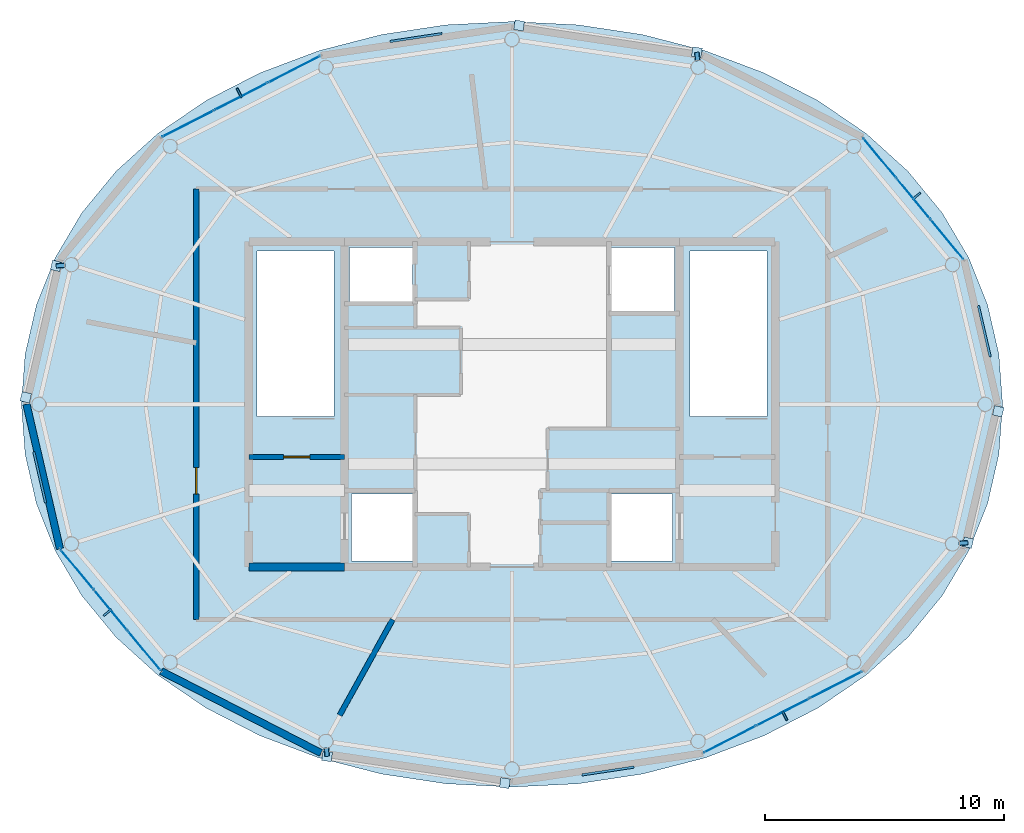
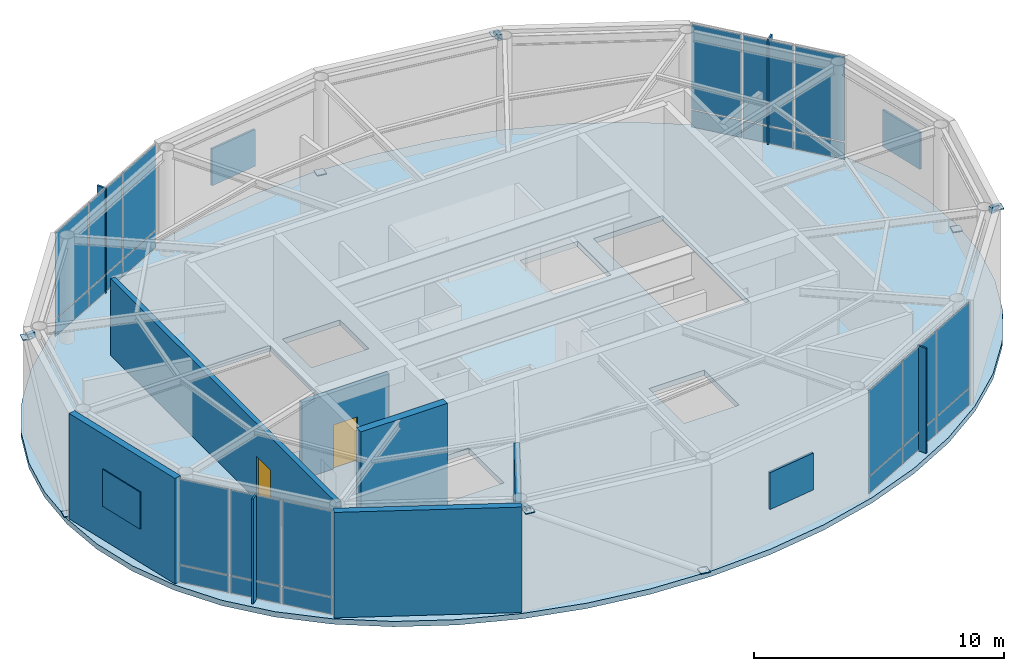
# One storey, part 11 of 14: 40 plates, 6 walls, 4 members, 2 doors, 1 slab, 2 openings, 4 elements without a shape of their own.
"""IFC4 building model written with IfcOpenShell, lengths in metres."""

from ifc_helpers import new_model, si_unit, direction, frame, frame_2d, origin, origin_2d, place, context, subcontext, project, spatial, polyline, rectangle, hollow_rectangle, outline, extrude, material, layer, layer_set, material_profile, profile_set, type_object, element, fill, aggregate, save


model = new_model("IFC4")

# Units and contexts
model_context = context("Model", 3, precision=1e-05, world=origin(), true_north=direction((0.0, 1.0)))
body_context = subcontext(model_context, "Body", "Model", "MODEL_VIEW")
ifc_project = project(units=[si_unit("LENGTHUNIT", "METRE"), si_unit("AREAUNIT", "SQUARE_METRE"), si_unit("VOLUMEUNIT", "CUBIC_METRE"), si_unit("PLANEANGLEUNIT", "RADIAN"), si_unit("MASSUNIT", "GRAM", prefix="KILO")], contexts=[model_context])

# Site, building, storey
site_placement = place(None, origin())
site = spatial("IfcSite", under=ifc_project, at=site_placement, CompositionType="ELEMENT")
building_placement = place(site_placement, origin())
building = spatial("IfcBuilding", under=site, at=building_placement, Name="Sarneth Arch Tower", CompositionType="ELEMENT")
storey_placement = place(building_placement, frame((0.0, 0.0, 321.60009765625)))
storey = spatial("IfcBuildingStorey", under=building, at=storey_placement, Name="L83", CompositionType="ELEMENT", Elevation=321.60009765625)

# Members
ifc_material_1 = material(Name="Steel S355", Category="steel")
ifc_material_profile = material_profile(ifc_material_1, hollow_rectangle(XDim=0.199951171875, YDim=0.300048828125, WallThickness=0.012451171875, InnerFilletRadius=0.018798828125, OuterFilletRadius=0.03125, at=origin_2d()), Name="RHS300x200x12.5")
ifc_profile_set = profile_set([ifc_material_profile], Name="Steel S355")
member_type = type_object("IfcMemberType", Name="MEM-CANT-STRUT", PredefinedType="STRUT", material=ifc_profile_set)
member_1_placement = place(storey_placement, frame((55.758544921875, 56.362548828125, 4.862060546875), z_axis=(-0.088114804222, 0.996110325856, 0.0), x_axis=(-0.996110325856, -0.088114804222, 0.0)))
element("IfcMember", 1, at=member_1_placement, inside=storey, type_object=member_type, Name="L83 Exoskeleton brace node strut 04B", PredefinedType="STRUT", context=body_context, shape_type="SweptSolid", body=[
    extrude(hollow_rectangle(XDim=0.199951171875, YDim=0.300048828125, WallThickness=0.012451171875, InnerFilletRadius=0.018798828125, OuterFilletRadius=0.03125, at=origin_2d()), origin(), (0.0, 0.0, 1.0), 0.354736328125),
])
member_2_placement = place(storey_placement, frame((29.30908203125, 47.81396484375, 4.862060546875), z_axis=(-0.996781199626, -0.080170069675, 0.0), x_axis=(0.080170069675, -0.996781199626, 0.0)))
element("IfcMember", 2, at=member_2_placement, inside=storey, type_object=member_type, Name="L83 Exoskeleton brace node strut 08B", PredefinedType="STRUT", context=body_context, shape_type="SweptSolid", body=[
    extrude(hollow_rectangle(XDim=0.199951171875, YDim=0.300048828125, WallThickness=0.012451171875, InnerFilletRadius=0.018798828125, OuterFilletRadius=0.03125, at=origin_2d()), origin(), (0.0, 0.0, 1.0), 0.365478515625),
])
member_3_placement = place(storey_placement, frame((40.241455078125, 27.637451171875, 4.862060546875), z_axis=(0.088114804222, -0.996110325856, 0.0), x_axis=(0.996110325856, 0.088114804222, 0.0)))
element("IfcMember", 3, at=member_3_placement, inside=storey, type_object=member_type, Name="L83 Exoskeleton brace node strut 12B", PredefinedType="STRUT", context=body_context, shape_type="SweptSolid", body=[
    extrude(hollow_rectangle(XDim=0.199951171875, YDim=0.300048828125, WallThickness=0.012451171875, InnerFilletRadius=0.018798828125, OuterFilletRadius=0.03125, at=origin_2d()), origin(), (0.0, 0.0, 1.0), 0.354736328125),
])
member_4_placement = place(storey_placement, frame((66.69091796875, 36.18603515625, 4.862060546875), z_axis=(0.996781199626, 0.080170069675, 0.0), x_axis=(-0.080170069675, 0.996781199626, 0.0)))
element("IfcMember", 4, at=member_4_placement, inside=storey, type_object=member_type, Name="L83 Exoskeleton brace node strut 16B", PredefinedType="STRUT", context=body_context, shape_type="SweptSolid", body=[
    extrude(hollow_rectangle(XDim=0.199951171875, YDim=0.300048828125, WallThickness=0.012451171875, InnerFilletRadius=0.018798828125, OuterFilletRadius=0.03125, at=origin_2d()), origin(), (0.0, 0.0, 1.0), 0.365478515625),
])

# Curtain wall, plates
ifc_material_2 = material(Name="Anodised aluminium Type AA25 and solar-control low-e laminated IGU", Category="aluminium")
ifc_layer_1 = layer(ifc_material_2, 0.18994140625)
ifc_layer_set_1 = layer_set([ifc_layer_1], Name="Anodised aluminium Type AA25 and solar-control low-e laminated IGU")
curtain_wall_type = type_object("IfcCurtainWallType", Name="CW-CROWN-DRUM", PredefinedType="NOTDEFINED", material=ifc_layer_set_1)
curtain_wall_1_placement = place(storey_placement, origin())
curtain_wall_1 = element("IfcCurtainWall", 5, at=curtain_wall_1_placement, inside=storey, type_object=curtain_wall_type, Name="L83 Unitised curtain wall facet 02", PredefinedType="NOTDEFINED")
ifc_material_3 = material(Name="Solar-control low-e laminated IGU", Category="glass")
ifc_layer_2 = layer(ifc_material_3, 0.028076171875)
ifc_layer_set_2 = layer_set([ifc_layer_2], Name="Solar-control low-e laminated IGU")
plate_type_1 = type_object("IfcPlateType", Name="CW-PANEL", PredefinedType="CURTAIN_PANEL", material=ifc_layer_set_2)
plate_1_placement = place(storey_placement, frame((66.181640625, 48.903564453125, 0.059814453125), z_axis=(0.0, 0.0, 1.0), x_axis=(-0.637504910728, 0.770446291962, 0.0)))
plate_1 = element("IfcPlate", 6, at=plate_1_placement, type_object=plate_type_1, Name="Curtain wall glazed vision pane CW-L83-F02/P00-00", PredefinedType="CURTAIN_PANEL", context=body_context, shape_type="SweptSolid", body=[
    extrude(rectangle(XDim=2.125, YDim=0.028076171875, at=origin_2d()), origin(), (0.0, 0.0, 1.0), 0.81005859375),
])
plate_2_placement = place(storey_placement, frame((66.181640625, 48.903564453125, 0.929931640625), z_axis=(0.0, 0.0, 1.0), x_axis=(-0.637504910728, 0.770446291962, 0.0)))
plate_2 = element("IfcPlate", 7, at=plate_2_placement, type_object=plate_type_1, Name="Curtain wall glazed vision pane CW-L83-F02/P00-01", PredefinedType="CURTAIN_PANEL", context=body_context, shape_type="SweptSolid", body=[
    extrude(rectangle(XDim=2.125, YDim=0.028076171875, at=origin_2d()), origin(), (0.0, 0.0, 1.0), 4.14990234375),
])
plate_3_placement = place(storey_placement, frame((64.779052734375, 50.598388671875, 0.059814453125), z_axis=(0.0, 0.0, 1.0), x_axis=(-0.637504910728, 0.770446291962, 0.0)))
plate_3 = element("IfcPlate", 8, at=plate_3_placement, type_object=plate_type_1, Name="Curtain wall glazed vision pane CW-L83-F02/P01-00", PredefinedType="CURTAIN_PANEL", context=body_context, shape_type="SweptSolid", body=[
    extrude(rectangle(XDim=2.155029296875, YDim=0.028076171875, at=origin_2d()), origin(), (0.0, 0.0, 1.0), 0.81005859375),
])
plate_4_placement = place(storey_placement, frame((64.779052734375, 50.598388671875, 0.929931640625), z_axis=(0.0, 0.0, 1.0), x_axis=(-0.637504910728, 0.770446291962, 0.0)))
plate_4 = element("IfcPlate", 9, at=plate_4_placement, type_object=plate_type_1, Name="Curtain wall glazed vision pane CW-L83-F02/P01-01", PredefinedType="CURTAIN_PANEL", context=body_context, shape_type="SweptSolid", body=[
    extrude(rectangle(XDim=2.155029296875, YDim=0.028076171875, at=origin_2d()), origin(), (0.0, 0.0, 1.0), 4.14990234375),
])
plate_5_placement = place(storey_placement, frame((63.376708984375, 52.29345703125, 0.059814453125), z_axis=(0.0, 0.0, 1.0), x_axis=(-0.637504910728, 0.770446291962, 0.0)))
plate_5 = element("IfcPlate", 10, at=plate_5_placement, type_object=plate_type_1, Name="Curtain wall glazed vision pane CW-L83-F02/P02-00", PredefinedType="CURTAIN_PANEL", context=body_context, shape_type="SweptSolid", body=[
    extrude(rectangle(XDim=2.125, YDim=0.028076171875, at=origin_2d()), origin(), (0.0, 0.0, 1.0), 0.81005859375),
])
plate_6_placement = place(storey_placement, frame((63.376708984375, 52.29345703125, 0.929931640625), z_axis=(0.0, 0.0, 1.0), x_axis=(-0.637504910728, 0.770446291962, 0.0)))
plate_6 = element("IfcPlate", 11, at=plate_6_placement, type_object=plate_type_1, Name="Curtain wall glazed vision pane CW-L83-F02/P02-01", PredefinedType="CURTAIN_PANEL", context=body_context, shape_type="SweptSolid", body=[
    extrude(rectangle(XDim=2.125, YDim=0.028076171875, at=origin_2d()), origin(), (0.0, 0.0, 1.0), 4.14990234375),
])
aggregate(curtain_wall_1, [plate_1, plate_2, plate_3, plate_4, plate_5, plate_6])

curtain_wall_2_placement = place(storey_placement, origin())
curtain_wall_2 = element("IfcCurtainWall", 12, at=curtain_wall_2_placement, inside=storey, type_object=curtain_wall_type, Name="L83 Unitised curtain wall facet 06", PredefinedType="NOTDEFINED")
plate_7_placement = place(storey_placement, frame((38.888427734375, 56.001953125, 0.059814453125), z_axis=(0.0, 0.0, 1.0), x_axis=(-0.8899590948, -0.456040359598, 0.0)))
plate_7 = element("IfcPlate", 13, at=plate_7_placement, type_object=plate_type_1, Name="Curtain wall glazed vision pane CW-L83-F06/P00-00", PredefinedType="CURTAIN_PANEL", context=body_context, shape_type="SweptSolid", body=[
    extrude(rectangle(XDim=2.41015625, YDim=0.028076171875, at=origin_2d()), origin(), (0.0, 0.0, 1.0), 0.81005859375),
])
plate_8_placement = place(storey_placement, frame((38.888427734375, 56.001953125, 0.929931640625), z_axis=(0.0, 0.0, 1.0), x_axis=(-0.8899590948, -0.456040359598, 0.0)))
plate_8 = element("IfcPlate", 14, at=plate_8_placement, type_object=plate_type_1, Name="Curtain wall glazed vision pane CW-L83-F06/P00-01", PredefinedType="CURTAIN_PANEL", context=body_context, shape_type="SweptSolid", body=[
    extrude(rectangle(XDim=2.41015625, YDim=0.028076171875, at=origin_2d()), origin(), (0.0, 0.0, 1.0), 4.14990234375),
])
plate_9_placement = place(storey_placement, frame((36.6767578125, 54.868408203125, 0.059814453125), z_axis=(0.0, 0.0, 1.0), x_axis=(-0.8899590948, -0.456040359598, 0.0)))
plate_9 = element("IfcPlate", 15, at=plate_9_placement, type_object=plate_type_1, Name="Curtain wall glazed vision pane CW-L83-F06/P01-00", PredefinedType="CURTAIN_PANEL", context=body_context, shape_type="SweptSolid", body=[
    extrude(rectangle(XDim=2.440185546875, YDim=0.028076171875, at=origin_2d()), origin(), (0.0, 0.0, 1.0), 0.81005859375),
])
plate_10_placement = place(storey_placement, frame((36.6767578125, 54.868408203125, 0.929931640625), z_axis=(0.0, 0.0, 1.0), x_axis=(-0.8899590948, -0.456040359598, 0.0)))
plate_10 = element("IfcPlate", 16, at=plate_10_placement, type_object=plate_type_1, Name="Curtain wall glazed vision pane CW-L83-F06/P01-01", PredefinedType="CURTAIN_PANEL", context=body_context, shape_type="SweptSolid", body=[
    extrude(rectangle(XDim=2.440185546875, YDim=0.028076171875, at=origin_2d()), origin(), (0.0, 0.0, 1.0), 4.14990234375),
])
plate_11_placement = place(storey_placement, frame((34.46484375, 53.735107421875, 0.059814453125), z_axis=(0.0, 0.0, 1.0), x_axis=(-0.8899590948, -0.456040359598, 0.0)))
plate_11 = element("IfcPlate", 17, at=plate_11_placement, type_object=plate_type_1, Name="Curtain wall glazed vision pane CW-L83-F06/P02-00", PredefinedType="CURTAIN_PANEL", context=body_context, shape_type="SweptSolid", body=[
    extrude(rectangle(XDim=2.41015625, YDim=0.028076171875, at=origin_2d()), origin(), (0.0, 0.0, 1.0), 0.81005859375),
])
plate_12_placement = place(storey_placement, frame((34.46484375, 53.735107421875, 0.929931640625), z_axis=(0.0, 0.0, 1.0), x_axis=(-0.8899590948, -0.456040359598, 0.0)))
plate_12 = element("IfcPlate", 18, at=plate_12_placement, type_object=plate_type_1, Name="Curtain wall glazed vision pane CW-L83-F06/P02-01", PredefinedType="CURTAIN_PANEL", context=body_context, shape_type="SweptSolid", body=[
    extrude(rectangle(XDim=2.41015625, YDim=0.028076171875, at=origin_2d()), origin(), (0.0, 0.0, 1.0), 4.14990234375),
])
aggregate(curtain_wall_2, [plate_7, plate_8, plate_9, plate_10, plate_11, plate_12])

curtain_wall_3_placement = place(storey_placement, origin())
curtain_wall_3 = element("IfcCurtainWall", 19, at=curtain_wall_3_placement, inside=storey, type_object=curtain_wall_type, Name="L83 Unitised curtain wall facet 10", PredefinedType="NOTDEFINED")
plate_13_placement = place(storey_placement, frame((29.818359375, 35.096435546875, 0.059814453125), z_axis=(0.0, 0.0, 1.0), x_axis=(0.637504910728, -0.770446291962, 0.0)))
plate_13 = element("IfcPlate", 20, at=plate_13_placement, type_object=plate_type_1, Name="Curtain wall glazed vision pane CW-L83-F10/P00-00", PredefinedType="CURTAIN_PANEL", context=body_context, shape_type="SweptSolid", body=[
    extrude(rectangle(XDim=2.125, YDim=0.028076171875, at=origin_2d()), origin(), (0.0, 0.0, 1.0), 0.81005859375),
])
plate_14_placement = place(storey_placement, frame((29.818359375, 35.096435546875, 0.929931640625), z_axis=(0.0, 0.0, 1.0), x_axis=(0.637504910728, -0.770446291962, 0.0)))
plate_14 = element("IfcPlate", 21, at=plate_14_placement, type_object=plate_type_1, Name="Curtain wall glazed vision pane CW-L83-F10/P00-01", PredefinedType="CURTAIN_PANEL", context=body_context, shape_type="SweptSolid", body=[
    extrude(rectangle(XDim=2.125, YDim=0.028076171875, at=origin_2d()), origin(), (0.0, 0.0, 1.0), 4.14990234375),
])
plate_15_placement = place(storey_placement, frame((31.220947265625, 33.401611328125, 0.059814453125), z_axis=(0.0, 0.0, 1.0), x_axis=(0.637504910728, -0.770446291962, 0.0)))
plate_15 = element("IfcPlate", 22, at=plate_15_placement, type_object=plate_type_1, Name="Curtain wall glazed vision pane CW-L83-F10/P01-00", PredefinedType="CURTAIN_PANEL", context=body_context, shape_type="SweptSolid", body=[
    extrude(rectangle(XDim=2.155029296875, YDim=0.028076171875, at=origin_2d()), origin(), (0.0, 0.0, 1.0), 0.81005859375),
])
plate_16_placement = place(storey_placement, frame((31.220947265625, 33.401611328125, 0.929931640625), z_axis=(0.0, 0.0, 1.0), x_axis=(0.637504910728, -0.770446291962, 0.0)))
plate_16 = element("IfcPlate", 23, at=plate_16_placement, type_object=plate_type_1, Name="Curtain wall glazed vision pane CW-L83-F10/P01-01", PredefinedType="CURTAIN_PANEL", context=body_context, shape_type="SweptSolid", body=[
    extrude(rectangle(XDim=2.155029296875, YDim=0.028076171875, at=origin_2d()), origin(), (0.0, 0.0, 1.0), 4.14990234375),
])
plate_17_placement = place(storey_placement, frame((32.623291015625, 31.70654296875, 0.059814453125), z_axis=(0.0, 0.0, 1.0), x_axis=(0.637504910728, -0.770446291962, 0.0)))
plate_17 = element("IfcPlate", 24, at=plate_17_placement, type_object=plate_type_1, Name="Curtain wall glazed vision pane CW-L83-F10/P02-00", PredefinedType="CURTAIN_PANEL", context=body_context, shape_type="SweptSolid", body=[
    extrude(rectangle(XDim=2.125, YDim=0.028076171875, at=origin_2d()), origin(), (0.0, 0.0, 1.0), 0.81005859375),
])
plate_18_placement = place(storey_placement, frame((32.623291015625, 31.70654296875, 0.929931640625), z_axis=(0.0, 0.0, 1.0), x_axis=(0.637504910728, -0.770446291962, 0.0)))
plate_18 = element("IfcPlate", 25, at=plate_18_placement, type_object=plate_type_1, Name="Curtain wall glazed vision pane CW-L83-F10/P02-01", PredefinedType="CURTAIN_PANEL", context=body_context, shape_type="SweptSolid", body=[
    extrude(rectangle(XDim=2.125, YDim=0.028076171875, at=origin_2d()), origin(), (0.0, 0.0, 1.0), 4.14990234375),
])
aggregate(curtain_wall_3, [plate_13, plate_14, plate_15, plate_16, plate_17, plate_18])

curtain_wall_4_placement = place(storey_placement, origin())
curtain_wall_4 = element("IfcCurtainWall", 26, at=curtain_wall_4_placement, inside=storey, type_object=curtain_wall_type, Name="L83 Unitised curtain wall facet 14", PredefinedType="NOTDEFINED")
plate_19_placement = place(storey_placement, frame((57.111572265625, 27.998046875, 0.059814453125), z_axis=(0.0, 0.0, 1.0), x_axis=(0.8899590948, 0.456040359598, 0.0)))
plate_19 = element("IfcPlate", 27, at=plate_19_placement, type_object=plate_type_1, Name="Curtain wall glazed vision pane CW-L83-F14/P00-00", PredefinedType="CURTAIN_PANEL", context=body_context, shape_type="SweptSolid", body=[
    extrude(rectangle(XDim=2.41015625, YDim=0.028076171875, at=origin_2d()), origin(), (0.0, 0.0, 1.0), 0.81005859375),
])
plate_20_placement = place(storey_placement, frame((57.111572265625, 27.998046875, 0.929931640625), z_axis=(0.0, 0.0, 1.0), x_axis=(0.8899590948, 0.456040359598, 0.0)))
plate_20 = element("IfcPlate", 28, at=plate_20_placement, type_object=plate_type_1, Name="Curtain wall glazed vision pane CW-L83-F14/P00-01", PredefinedType="CURTAIN_PANEL", context=body_context, shape_type="SweptSolid", body=[
    extrude(rectangle(XDim=2.41015625, YDim=0.028076171875, at=origin_2d()), origin(), (0.0, 0.0, 1.0), 4.14990234375),
])
plate_21_placement = place(storey_placement, frame((59.3232421875, 29.131591796875, 0.059814453125), z_axis=(0.0, 0.0, 1.0), x_axis=(0.8899590948, 0.456040359598, 0.0)))
plate_21 = element("IfcPlate", 29, at=plate_21_placement, type_object=plate_type_1, Name="Curtain wall glazed vision pane CW-L83-F14/P01-00", PredefinedType="CURTAIN_PANEL", context=body_context, shape_type="SweptSolid", body=[
    extrude(rectangle(XDim=2.440185546875, YDim=0.028076171875, at=origin_2d()), origin(), (0.0, 0.0, 1.0), 0.81005859375),
])
plate_22_placement = place(storey_placement, frame((59.3232421875, 29.131591796875, 0.929931640625), z_axis=(0.0, 0.0, 1.0), x_axis=(0.8899590948, 0.456040359598, 0.0)))
plate_22 = element("IfcPlate", 30, at=plate_22_placement, type_object=plate_type_1, Name="Curtain wall glazed vision pane CW-L83-F14/P01-01", PredefinedType="CURTAIN_PANEL", context=body_context, shape_type="SweptSolid", body=[
    extrude(rectangle(XDim=2.440185546875, YDim=0.028076171875, at=origin_2d()), origin(), (0.0, 0.0, 1.0), 4.14990234375),
])
plate_23_placement = place(storey_placement, frame((61.53515625, 30.264892578125, 0.059814453125), z_axis=(0.0, 0.0, 1.0), x_axis=(0.8899590948, 0.456040359598, 0.0)))
plate_23 = element("IfcPlate", 31, at=plate_23_placement, type_object=plate_type_1, Name="Curtain wall glazed vision pane CW-L83-F14/P02-00", PredefinedType="CURTAIN_PANEL", context=body_context, shape_type="SweptSolid", body=[
    extrude(rectangle(XDim=2.41015625, YDim=0.028076171875, at=origin_2d()), origin(), (0.0, 0.0, 1.0), 0.81005859375),
])
plate_24_placement = place(storey_placement, frame((61.53515625, 30.264892578125, 0.929931640625), z_axis=(0.0, 0.0, 1.0), x_axis=(0.8899590948, 0.456040359598, 0.0)))
plate_24 = element("IfcPlate", 32, at=plate_24_placement, type_object=plate_type_1, Name="Curtain wall glazed vision pane CW-L83-F14/P02-01", PredefinedType="CURTAIN_PANEL", context=body_context, shape_type="SweptSolid", body=[
    extrude(rectangle(XDim=2.41015625, YDim=0.028076171875, at=origin_2d()), origin(), (0.0, 0.0, 1.0), 4.14990234375),
])
aggregate(curtain_wall_4, [plate_19, plate_20, plate_21, plate_22, plate_23, plate_24])

# Plates
ifc_material_4 = material(Name="Powder-coated Aluminium 6063-T6 stormproof acoustic louvre", Category="aluminium")
ifc_layer_3 = layer(ifc_material_4, 0.094970703125)
ifc_layer_set_3 = layer_set([ifc_layer_3], Name="Powder-coated Aluminium 6063-T6 stormproof acoustic louvre")
plate_type_2 = type_object("IfcPlateType", Name="LOUVRE-PLANT", PredefinedType="SHEET", material=ifc_layer_set_3)
for number, where, z_axis, x_axis, name in (
    (33, (67.742431640625, 45.05322265625, 1.669921875), (0.0, 0.0, 1.0), (-0.2256312381, 0.974212781888, 0.0), "L83 Mechanical louvre 01"),
    (34, (43.98486328125, 57.32763671875, 1.669921875), (0.0, 0.0, 1.0), (-0.988886498745, -0.148672433897, 0.0), "L83 Mechanical louvre 05"),
    (35, (28.257568359375, 38.94677734375, 1.669921875), (0.0, 0.0, 1.0), (0.2256312381, -0.974212781888, 0.0), "L83 Mechanical louvre 09"),
    (36, (52.01513671875, 26.67236328125, 1.669921875), (0.0, 0.0, 1.0), (0.988886498745, 0.148672433897, 0.0), "L83 Mechanical louvre 13"),
):
    element("IfcPlate", number, at=place(storey_placement, frame(where, z_axis=z_axis, x_axis=x_axis)), inside=storey, type_object=plate_type_2, Name=name, PredefinedType="SHEET", context=body_context, shape_type="SweptSolid", body=[
        extrude(rectangle(XDim=2.199951171875, YDim=0.094970703125, at=origin_2d()), origin(), (0.0, 0.0, 1.0), 1.800048828125),
    ])
ifc_material_5 = material(Name="Steel S355", Category="steel")
ifc_layer_4 = layer(ifc_material_5, 0.035888671875)
ifc_layer_set_4 = layer_set([ifc_layer_4], Name="Steel S355")
plate_type_3 = type_object("IfcPlateType", Name="PLT-GUSSET-30", PredefinedType="SHEET", material=ifc_layer_set_4)
for number, where, z_axis, x_axis, name in (
    (37, (48.296630859375, 57.835205078125, 0.001953125), (0.0, 0.0, 1.0), (-0.98883454203, 0.149017611339, 0.0), "Steel end cap plate GP-1"),
    (38, (55.727294921875, 56.7158203125, 4.84423828125), (0.0, 0.0, 1.0), (-0.98883454203, 0.149017611339, 0.0), "Steel end cap plate GP-1"),
    (39, (27.675048828125, 42.292236328125, 0.001953125), (0.0, 0.0, 1.0), (-0.225291159947, -0.974291482694, 0.0), "Steel end cap plate GP-1"),
    (40, (28.94482421875, 47.78466796875, 4.84423828125), (0.0, 0.0, 1.0), (-0.225291159947, -0.974291482694, 0.0), "Steel end cap plate GP-1"),
    (41, (47.703369140625, 26.164794921875, 0.001953125), (0.0, 0.0, 1.0), (0.98883454203, -0.149017611339, 0.0), "Steel end cap plate GP-1"),
    (42, (40.272705078125, 27.2841796875, 4.84423828125), (0.0, 0.0, 1.0), (0.98883454203, -0.149017611339, 0.0), "Steel end cap plate GP-1"),
    (43, (68.324951171875, 41.707763671875, 0.001953125), (0.0, 0.0, 1.0), (0.225291159947, 0.974291482694, 0.0), "Steel end cap plate GP-1"),
    (44, (67.05517578125, 36.21533203125, 4.84423828125), (0.0, 0.0, 1.0), (0.225291159947, 0.974291482694, 0.0), "Steel end cap plate GP-1"),
):
    element("IfcPlate", number, at=place(storey_placement, frame(where, z_axis=z_axis, x_axis=x_axis)), inside=storey, type_object=plate_type_3, Name=name, PredefinedType="SHEET", context=body_context, shape_type="SweptSolid", body=[
        extrude(rectangle(XDim=0.404052734375, YDim=0.404052734375, at=origin_2d()), origin(), (0.0, 0.0, 1.0), 0.035888671875),
    ])
ifc_material_6 = material(Name="Extruded glazed terracotta baguette fin on Aluminium 6063-T6 carrier", Category="masonry")
ifc_layer_5 = layer(ifc_material_6, 0.080078125)
ifc_layer_set_5 = layer_set([ifc_layer_5], Name="Extruded glazed terracotta baguette fin on Aluminium 6063-T6 carrier")
plate_type_4 = type_object("IfcPlateType", Name="SHADE-TERRA-FIN", PredefinedType="SHEET", material=ifc_layer_set_5)
for number, where, z_axis, x_axis, name in (
    (45, (64.91015625, 50.706787109375, 0.009765625), (0.0, 0.0, 1.0), (0.770401979567, 0.63755845997, 0.0), "L83 Terracotta vertical shading fin 02"),
    (46, (36.59912109375, 55.019775390625, 0.009765625), (0.0, 0.0, 1.0), (-0.456010959102, 0.889974159838, 0.0), "L83 Terracotta vertical shading fin 06"),
    (47, (31.08984375, 33.293212890625, 0.009765625), (0.0, 0.0, 1.0), (-0.770401979567, -0.63755845997, 0.0), "L83 Terracotta vertical shading fin 10"),
    (48, (59.40087890625, 28.980224609375, 0.009765625), (0.0, 0.0, 1.0), (0.456010959102, -0.889974159838, 0.0), "L83 Terracotta vertical shading fin 14"),
):
    element("IfcPlate", number, at=place(storey_placement, frame(where, z_axis=z_axis, x_axis=x_axis)), inside=storey, type_object=plate_type_4, Name=name, PredefinedType="SHEET", context=body_context, shape_type="SweptSolid", body=[
        extrude(rectangle(XDim=0.419921875, YDim=0.080078125, at=origin_2d()), origin(), (0.0, 0.0, 1.0), 5.1201171875),
    ])

# Slab
ifc_material_7 = material(Name="Concrete C50/60", Category="concrete")
ifc_layer_6 = layer(ifc_material_7, 0.260009765625)
ifc_layer_set_6 = layer_set([ifc_layer_6], Name="Concrete C50/60")
slab_type = type_object("IfcSlabType", Name="SLAB-ROOF-260", PredefinedType="ROOF", material=ifc_layer_set_6)
slab_placement = place(storey_placement, frame((0.0, 0.0, -0.260009765625)))
element("IfcSlab", 49, at=slab_placement, inside=storey, type_object=slab_type, Name="L83 Elliptical floor slab", PredefinedType="ROOF", context=body_context, shape_type="SweptSolid", body=[
    extrude(outline(polyline([(68.50927734375, 42.0), (68.353515625, 44.08837890625), (67.88427734375, 46.14111328125), (67.09619140625, 48.123046875), (65.9853515625, 50.0), (64.553955078125, 51.740234375), (62.8154296875, 53.313720703125), (60.79541015625, 54.693603515625), (58.531494140625, 55.8564453125), (56.06982421875, 56.781982421875), (53.46044921875, 57.454833984375), (50.754150390625, 57.863037109375), (48.0, 58.0), (45.245849609375, 57.863037109375), (42.53955078125, 57.454833984375), (39.93017578125, 56.781982421875), (37.468505859375, 55.8564453125), (35.20458984375, 54.693603515625), (33.1845703125, 53.313720703125), (31.446044921875, 51.740234375), (30.0146484375, 50.0), (28.90380859375, 48.123046875), (28.11572265625, 46.14111328125), (27.646484375, 44.08837890625), (27.49072265625, 42.0), (27.646484375, 39.91162109375), (28.11572265625, 37.85888671875), (28.90380859375, 35.876953125), (30.0146484375, 34.0), (31.446044921875, 32.259765625), (33.1845703125, 30.686279296875), (35.20458984375, 29.306396484375), (37.468505859375, 28.1435546875), (39.93017578125, 27.218017578125), (42.53955078125, 26.545166015625), (45.245849609375, 26.136962890625), (48.0, 26.0), (50.754150390625, 26.136962890625), (53.46044921875, 26.545166015625), (56.06982421875, 27.218017578125), (58.531494140625, 28.1435546875), (60.79541015625, 29.306396484375), (62.8154296875, 30.686279296875), (64.553955078125, 32.259765625), (65.9853515625, 34.0), (67.09619140625, 35.876953125), (67.88427734375, 37.85888671875), (68.353515625, 39.91162109375), (68.50927734375, 42.0)]), holes=[polyline([(37.35009765625, 41.489990234375), (40.550048828125, 41.489990234375), (40.550048828125, 48.39990234375), (37.35009765625, 48.39990234375), (37.35009765625, 41.489990234375)]), polyline([(55.449951171875, 41.489990234375), (58.64990234375, 41.489990234375), (58.64990234375, 48.39990234375), (55.449951171875, 48.39990234375), (55.449951171875, 41.489990234375)]), polyline([(41.199951171875, 46.25), (43.85009765625, 46.25), (43.85009765625, 48.550048828125), (41.199951171875, 48.550048828125), (41.199951171875, 46.25)]), polyline([(41.300048828125, 35.449951171875), (43.85009765625, 35.449951171875), (43.85009765625, 38.25), (41.300048828125, 38.25), (41.300048828125, 35.449951171875)]), polyline([(52.14990234375, 35.449951171875), (54.699951171875, 35.449951171875), (54.699951171875, 38.25), (52.14990234375, 38.25), (52.14990234375, 35.449951171875)]), polyline([(52.14990234375, 45.85009765625), (54.800048828125, 45.85009765625), (54.800048828125, 48.550048828125), (52.14990234375, 48.550048828125), (52.14990234375, 45.85009765625)])]), origin(), (0.0, 0.0, 1.0), 0.260009765625),
])

# Walls
ifc_material_8 = material(Name="Concrete C50/60", Category="concrete")
ifc_layer_7 = layer(ifc_material_8, 0.35009765625)
ifc_layer_set_7 = layer_set([ifc_layer_7], Name="Concrete C50/60")
wall_type_1 = type_object("IfcWallType", Name="WALL-CORE-350", PredefinedType="SHEAR", material=ifc_layer_set_7)
wall_1_placement = place(storey_placement, frame((37.0, 35.199951171875, 0.0), z_axis=(0.0, 0.0, 1.0), x_axis=(1.0, 0.0, 0.0)))
element("IfcWall", 50, at=wall_1_placement, inside=storey, type_object=wall_type_1, Name="L83 Core shear wall S-W", PredefinedType="SHEAR", context=body_context, shape_type="SweptSolid", body=[
    extrude(rectangle(XDim=4.0, YDim=0.35009765625, at=frame_2d((2.0, 0.0))), origin(), (0.0, 0.0, 1.0), 5.139892578125),
])
ifc_material_9 = material(Name="Extruded terracotta rainscreen on Concrete C40/50 backing", Category="masonry")
ifc_layer_8 = layer(ifc_material_9, 0.300048828125)
ifc_layer_set_8 = layer_set([ifc_layer_8], Name="Extruded terracotta rainscreen on Concrete C40/50 backing")
wall_type_2 = type_object("IfcWallType", Name="WALL-EXT-ACOUST-300", PredefinedType="SOLIDWALL", material=ifc_layer_set_8)
wall_2_placement = place(storey_placement, frame((27.70458984375, 42.0, 0.0), z_axis=(0.0, 0.0, 1.0), x_axis=(0.225604460723, -0.974218983238, 0.0)))
element("IfcWall", 51, at=wall_2_placement, inside=storey, type_object=wall_type_2, Name="L83 Terracotta perimeter wall 09", PredefinedType="SOLIDWALL", context=body_context, shape_type="SweptSolid", body=[
    extrude(rectangle(XDim=6.19873046875, YDim=0.300048828125, at=frame_2d((3.099365234375, 0.0))), origin(), (0.0, 0.0, 1.0), 5.139892578125),
])
wall_3_placement = place(storey_placement, frame((33.3388671875, 30.841796875, 0.0), z_axis=(0.0, 0.0, 1.0), x_axis=(0.889963468701, -0.456031823866, 0.0)))
element("IfcWall", 52, at=wall_3_placement, inside=storey, type_object=wall_type_2, Name="L83 Terracotta perimeter wall 11", PredefinedType="SOLIDWALL", context=body_context, shape_type="SweptSolid", body=[
    extrude(rectangle(XDim=7.5009765625, YDim=0.300048828125, at=frame_2d((3.75048828125, 0.0))), origin(), (0.0, 0.0, 1.0), 5.139892578125),
])

# Wall, opening, door
ifc_material_10 = material(Name="Aerated concrete blockwork C25/30", Category="masonry")
ifc_layer_9 = layer(ifc_material_10, 0.219970703125)
ifc_layer_set_9 = layer_set([ifc_layer_9], Name="Aerated concrete blockwork C25/30")
wall_type_3 = type_object("IfcWallType", Name="WALL-FIRE-220", PredefinedType="SOLIDWALL", material=ifc_layer_set_9)
wall_4_placement = place(storey_placement, frame((34.800048828125, 33.0, 0.0), z_axis=(0.0, 0.0, 1.0), x_axis=(0.0, 1.0, 0.0)))
wall_4 = element("IfcWall", 53, at=wall_4_placement, inside=storey, type_object=wall_type_3, Name="L83 Interior partition W-L83-TP-006", PredefinedType="SOLIDWALL", context=body_context, shape_type="SweptSolid", body=[
    extrude(rectangle(XDim=18.0, YDim=0.219970703125, at=frame_2d((9.0, 0.0))), origin(), (0.0, 0.0, 1.0), 3.739990234375),
])
opening_1_placement = place(wall_4_placement, frame((5.249267578125, 0.0, 0.0)))
opening_1 = element("IfcOpeningElement", 54, at=opening_1_placement, cuts=wall_4, Name="Opening FD-03", PredefinedType="OPENING", context=body_context, shape_type="SweptSolid", body=[
    extrude(rectangle(XDim=1.10009765625, YDim=2.14990234375, at=frame_2d((0.550048828125, 1.074951171875))), frame((0.0, 0.119873046875, 0.0), z_axis=(0.0, -1.0, 0.0), x_axis=(1.0, 0.0, 0.0)), (0.0, 0.0, 1.0), 0.239990234375),
])
ifc_material_11 = material(Name="Galvanised Steel S275 fire door set", Category="steel")
door_type = type_object("IfcDoorType", Name="DR-FD90-1100", OperationType="SINGLE_SWING_LEFT", PredefinedType="DOOR", material=ifc_material_11)
door_1_placement = place(opening_1_placement, origin())
door_1 = element("IfcDoor", 55, at=door_1_placement, inside=storey, type_object=door_type, Name="L83 Interior door DR-L83-PSEC-3", OperationType="SINGLE_SWING_LEFT", OverallHeight=2.14990234375, OverallWidth=1.10009765625, PredefinedType="DOOR", context=body_context, shape_type="SweptSolid", body=[
    extrude(rectangle(XDim=1.10009765625, YDim=2.14990234375, at=frame_2d((0.550048828125, 1.074951171875))), frame((0.0, 0.02490234375, 0.0), z_axis=(0.0, -1.0, 0.0), x_axis=(1.0, 0.0, 0.0)), (0.0, 0.0, 1.0), 0.050048828125),
])
fill(opening_1, door_1)

# Wall
wall_5_placement = place(storey_placement, frame((40.795166015625, 29.002197265625, 0.0), z_axis=(0.0, 0.0, 1.0), x_axis=(0.484817353881, 0.874615420271, 0.0)))
element("IfcWall", 56, at=wall_5_placement, inside=storey, type_object=wall_type_3, Name="L83 Interior partition W-L83-TP-013", PredefinedType="SOLIDWALL", context=body_context, shape_type="SweptSolid", body=[
    extrude(rectangle(XDim=4.571044921875, YDim=0.219970703125, at=frame_2d((2.28564453125, 0.0))), origin(), (0.0, 0.0, 1.0), 3.739990234375),
])

# Wall, opening, door
ifc_material_12 = material(Name="Aerated concrete blockwork C25/30", Category="masonry")
ifc_layer_10 = layer(ifc_material_12, 0.199951171875)
ifc_layer_set_10 = layer_set([ifc_layer_10], Name="Aerated concrete blockwork C25/30")
wall_type_4 = type_object("IfcWallType", Name="WALL-SHAFT-200", PredefinedType="SOLIDWALL", material=ifc_layer_set_10)
wall_6_placement = place(storey_placement, frame((37.0, 39.800048828125, 0.0), z_axis=(0.0, 0.0, 1.0), x_axis=(1.0, 0.0, 0.0)))
wall_6 = element("IfcWall", 57, at=wall_6_placement, inside=storey, type_object=wall_type_4, Name="L83 Interior partition W-L83-ST1-S", PredefinedType="SOLIDWALL", context=body_context, shape_type="SweptSolid", body=[
    extrude(rectangle(XDim=4.0, YDim=0.199951171875, at=frame_2d((2.0, 0.0))), origin(), (0.0, 0.0, 1.0), 3.739990234375),
])
opening_2_placement = place(wall_6_placement, frame((1.449951171875, 0.0, 0.0)))
opening_2 = element("IfcOpeningElement", 58, at=opening_2_placement, cuts=wall_6, Name="Opening FD-03", PredefinedType="OPENING", context=body_context, shape_type="SweptSolid", body=[
    extrude(rectangle(XDim=1.10009765625, YDim=2.14990234375, at=frame_2d((0.550048828125, 1.074951171875))), frame((0.0, 0.10986328125, 0.0), z_axis=(0.0, -1.0, 0.0), x_axis=(1.0, 0.0, 0.0)), (0.0, 0.0, 1.0), 0.219970703125),
])
door_2_placement = place(opening_2_placement, origin())
door_2 = element("IfcDoor", 59, at=door_2_placement, inside=storey, type_object=door_type, Name="L83 Interior door DR-L83-ST1", OperationType="SINGLE_SWING_LEFT", OverallHeight=2.14990234375, OverallWidth=1.10009765625, PredefinedType="DOOR", context=body_context, shape_type="SweptSolid", body=[
    extrude(rectangle(XDim=1.10009765625, YDim=2.14990234375, at=frame_2d((0.550048828125, 1.074951171875))), frame((0.0, 0.02490234375, 0.0), z_axis=(0.0, -1.0, 0.0), x_axis=(1.0, 0.0, 0.0)), (0.0, 0.0, 1.0), 0.050048828125),
])
fill(opening_2, door_2)

save(model, "model.ifc")
